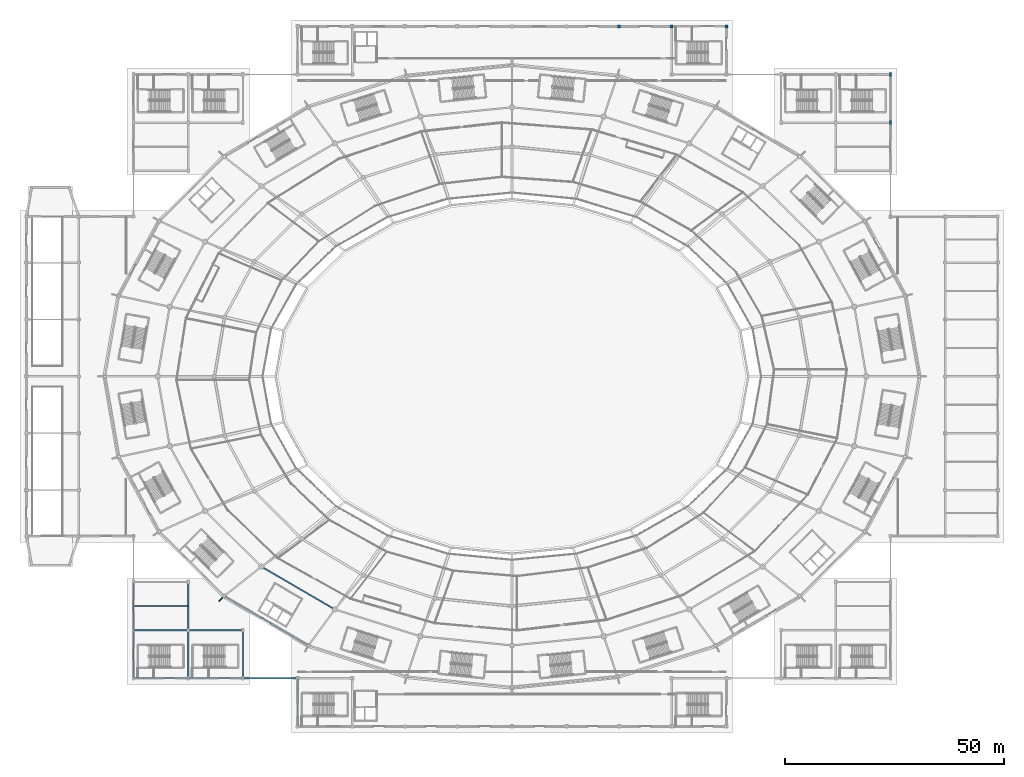
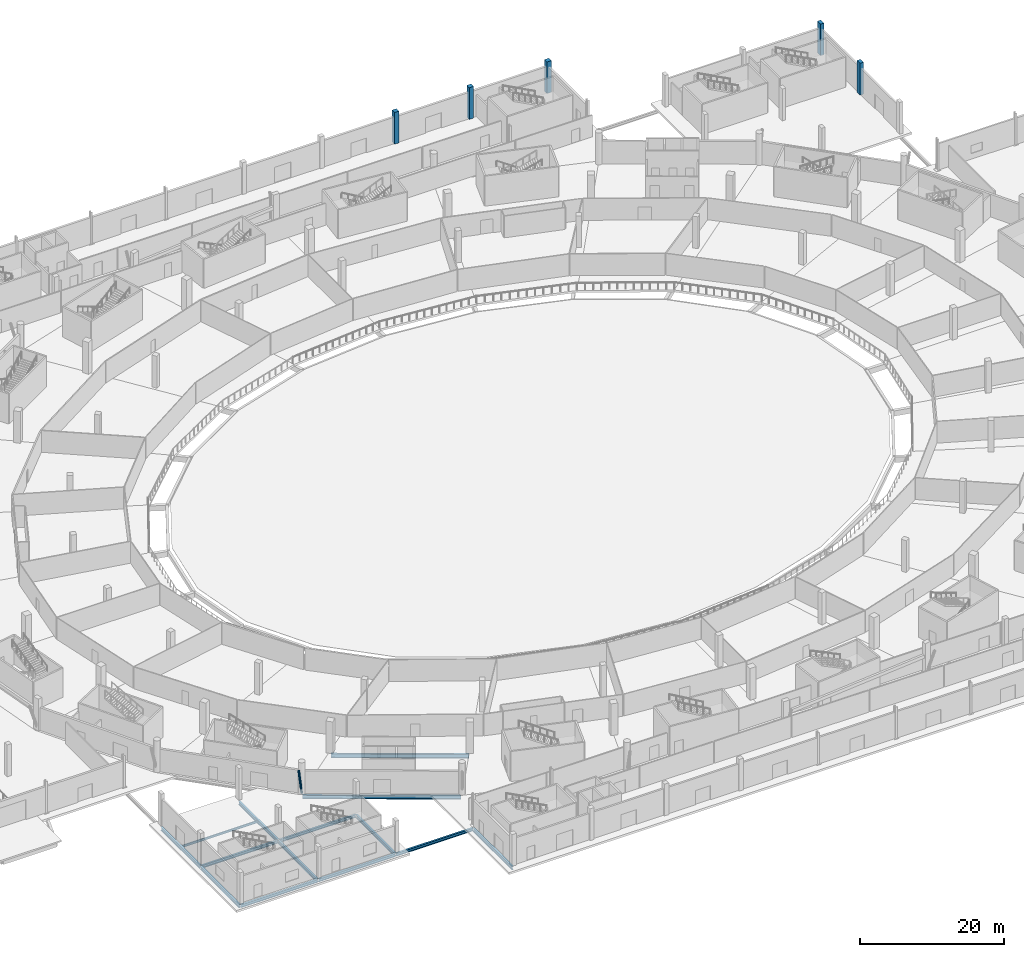
# One storey, part 22 of 82: 14 beams, 5 columns, 1 member.
"""IFC4 building model written with IfcOpenShell, lengths in metres."""

from ifc_helpers import new_model, si_unit, direction, frame, origin, origin_2d, place, context, subcontext, project, spatial, rectangle, hollow_circle, i_section, extrude, material, material_profile, profile_set, type_object, element, save


model = new_model("IFC4")

# Units and contexts
model_context = context("Model", 3, precision=1e-05, world=origin(), true_north=direction((0.0, 1.0)))
body_context = subcontext(model_context, "Body", "Model", "MODEL_VIEW")
ifc_project = project(units=[si_unit("LENGTHUNIT", "METRE"), si_unit("AREAUNIT", "SQUARE_METRE"), si_unit("VOLUMEUNIT", "CUBIC_METRE"), si_unit("PLANEANGLEUNIT", "RADIAN"), si_unit("MASSUNIT", "GRAM", prefix="KILO")], contexts=[model_context])

# Site, building, storey
site_placement = place(None, origin())
site = spatial("IfcSite", under=ifc_project, at=site_placement, CompositionType="ELEMENT")
building_placement = place(site_placement, origin())
building = spatial("IfcBuilding", under=site, at=building_placement, Name="Zlatoyarsky Gate Stadium", CompositionType="ELEMENT")
storey_placement = place(building_placement, origin())
storey = spatial("IfcBuildingStorey", under=building, at=storey_placement, Name="L00", CompositionType="ELEMENT", Elevation=0.0)

# Columns
ifc_material_1 = material(Name="Concrete C40/50", Category="concrete")
ifc_material_profile_1 = material_profile(ifc_material_1, rectangle(XDim=0.699951171875, YDim=0.699951171875, at=origin_2d()), Name="RC COL 700X700")
ifc_profile_set_1 = profile_set([ifc_material_profile_1], Name="Concrete C40/50")
column_type_1 = type_object("IfcColumnType", Name="CONCRETE COLUMN 700X700", PredefinedType="COLUMN", material=ifc_profile_set_1)
for number, where, z_axis, x_axis, name in (
    (1, (135.5, 160.0, 0.0), (0.0, 0.0, 1.0), (1.0, 0.0, 0.0), "Column RC-C70 WG-12-Q on L00"),
    (2, (147.5, 160.0, 0.0), (0.0, 0.0, 1.0), (1.0, 0.0, 0.0), "Column RC-C70 WG-13-Q on L00"),
    (3, (160.0, 160.0, 0.0), (0.0, 0.0, 1.0), (1.0, 0.0, 0.0), "Column RC-C70 WG-14-Q on L00"),
):
    element("IfcColumn", number, at=place(storey_placement, frame(where, z_axis=z_axis, x_axis=x_axis)), inside=storey, type_object=column_type_1, Name=name, PredefinedType="COLUMN", context=body_context, shape_type="SweptSolid", body=[
        extrude(rectangle(XDim=0.699951171875, YDim=0.699951171875, at=origin_2d()), origin(), (0.0, 0.0, 1.0), 5.39990234375),
    ])
ifc_material_profile_2 = material_profile(ifc_material_1, rectangle(XDim=0.550048828125, YDim=0.85009765625, at=origin_2d()), Name="RC PILASTER 550X850")
ifc_profile_set_2 = profile_set([ifc_material_profile_2], Name="Concrete C40/50")
column_type_2 = type_object("IfcColumnType", Name="CONCRETE PORTAL PILASTER 550X850", PredefinedType="PILASTER", material=ifc_profile_set_2)
for number, where, z_axis, x_axis, name in (
    (4, (197.5, 138.0, 0.0), (0.0, 0.0, 1.0), (1.0, 0.0, 0.0), "Column RC-PL85 WG-17-N on L00"),
    (5, (197.5, 149.0, 0.0), (0.0, 0.0, 1.0), (1.0, 0.0, 0.0), "Column RC-PL85 WG-17-P on L00"),
):
    element("IfcColumn", number, at=place(storey_placement, frame(where, z_axis=z_axis, x_axis=x_axis)), inside=storey, type_object=column_type_2, Name=name, PredefinedType="PILASTER", context=body_context, shape_type="SweptSolid", body=[
        extrude(rectangle(XDim=0.550048828125, YDim=0.85009765625, at=origin_2d()), origin(), (0.0, 0.0, 1.0), 5.39990234375),
    ])

# Member
ifc_material_2 = material(Name="Steel S355", Category="steel")
ifc_material_profile_3 = material_profile(ifc_material_2, hollow_circle(Radius=0.177734375, WallThickness=0.02001953125, at=origin_2d()), Name="CHS 355.6X20")
ifc_profile_set_3 = profile_set([ifc_material_profile_3], Name="Steel S355")
member_type = type_object("IfcMemberType", Name="STEEL LEANING RIB RING STRUT CHS 355.6X20", PredefinedType="STRUT", material=ifc_profile_set_3)
member_placement = place(storey_placement, frame((45.239013671875, 29.79541015625, 0.0), z_axis=(-0.224639634245, -0.224687860873, 0.948183737417), x_axis=(0.707182671369, -0.707030882858, 0.0)))
element("IfcMember", 6, at=member_placement, inside=storey, type_object=member_type, Name="Leaning ring strut 15 L00 to L01", PredefinedType="STRUT", context=body_context, shape_type="SweptSolid", body=[
    extrude(hollow_circle(Radius=0.177734375, WallThickness=0.02001953125, at=origin_2d()), origin(), (0.0, 0.0, 1.0), 5.062255859375),
])

# Beams
ifc_material_profile_4 = material_profile(ifc_material_2, i_section(OverallWidth=0.300048828125, OverallDepth=0.5, WebThickness=0.014404296875, FlangeThickness=0.028076171875, FilletRadius=0.027099609375, at=origin_2d()), Name="HEB 500")
ifc_profile_set_4 = profile_set([ifc_material_profile_4], Name="Steel S355")
beam_type_1 = type_object("IfcBeamType", Name="STEEL PRIMARY GIRDER HEB 500", PredefinedType="BEAM", material=ifc_profile_set_4)
for number, where, z_axis, x_axis, name in (
    (7, (24.580078125, 11.0, -0.60009765625), (1.0, 0.0, 0.0), (0.0, 1.0, 0.0), "Beam G-HEB500 BM-L00-WGX-3-B"),
    (8, (24.580078125, 22.0, -0.60009765625), (1.0, 0.0, 0.0), (0.0, 1.0, 0.0), "Beam G-HEB500 BM-L00-WGX-3-C"),
    (9, (37.080078125, 11.0, -0.60009765625), (1.0, 0.0, 0.0), (0.0, 1.0, 0.0), "Beam G-HEB500 BM-L00-WGX-4-B"),
    (10, (37.080078125, 22.0, -0.60009765625), (1.0, 0.0, 0.0), (0.0, 1.0, 0.0), "Beam G-HEB500 BM-L00-WGX-4-C"),
    (11, (49.580078125, 11.0, -0.60009765625), (1.0, 0.0, 0.0), (0.0, 1.0, 0.0), "Beam G-HEB500 BM-L00-WGX-5-B"),
):
    element("IfcBeam", number, at=place(storey_placement, frame(where, z_axis=z_axis, x_axis=x_axis)), inside=storey, type_object=beam_type_1, Name=name, PredefinedType="BEAM", context=body_context, shape_type="SweptSolid", body=[
        extrude(i_section(OverallWidth=0.300048828125, OverallDepth=0.5, WebThickness=0.014404296875, FlangeThickness=0.028076171875, FilletRadius=0.027099609375, at=origin_2d()), origin(), (0.0, 0.0, 1.0), 12.33984375),
    ])
ifc_material_profile_5 = material_profile(ifc_material_2, i_section(OverallWidth=0.300048828125, OverallDepth=0.60009765625, WebThickness=0.015380859375, FlangeThickness=0.030029296875, FilletRadius=0.027099609375, at=origin_2d()), Name="HEB 600")
ifc_profile_set_5 = profile_set([ifc_material_profile_5], Name="Steel S355")
beam_type_2 = type_object("IfcBeamType", Name="STEEL PRIMARY GIRDER HEB 600", PredefinedType="BEAM", material=ifc_profile_set_5)
beam_1_placement = place(storey_placement, frame((45.342529296875, 29.734619140625, -0.64990234375), z_axis=(0.862854775092, -0.505451913738, 0.0), x_axis=(0.505451913738, 0.862854775092, 0.0)))
element("IfcBeam", 12, at=beam_1_placement, inside=storey, type_object=beam_type_2, Name="Beam G-HEB600 BM-L00-CRC-15", PredefinedType="BEAM", context=body_context, shape_type="SweptSolid", body=[
    extrude(i_section(OverallWidth=0.300048828125, OverallDepth=0.60009765625, WebThickness=0.015380859375, FlangeThickness=0.030029296875, FilletRadius=0.027099609375, at=origin_2d()), origin(), (0.0, 0.0, 1.0), 22.08251953125),
])
for number, where, z_axis, x_axis, name in (
    (13, (24.5, 11.080078125, -0.64990234375), (0.0, 1.0, 0.0), (-1.0, 0.0, 0.0), "Beam G-HEB600 BM-L00-WGY-3-B"),
    (14, (24.5, 22.080078125, -0.64990234375), (0.0, 1.0, 0.0), (-1.0, 0.0, 0.0), "Beam G-HEB600 BM-L00-WGY-3-C"),
    (15, (37.0, 11.080078125, -0.64990234375), (0.0, 1.0, 0.0), (-1.0, 0.0, 0.0), "Beam G-HEB600 BM-L00-WGY-4-B"),
    (16, (37.0, 22.080078125, -0.64990234375), (0.0, 1.0, 0.0), (-1.0, 0.0, 0.0), "Beam G-HEB600 BM-L00-WGY-4-C"),
    (17, (49.5, 11.080078125, -0.64990234375), (0.0, 1.0, 0.0), (-1.0, 0.0, 0.0), "Beam G-HEB600 BM-L00-WGY-5-B"),
    (18, (62.0, 0.080078125, -0.64990234375), (0.0, 1.0, 0.0), (-1.0, 0.0, 0.0), "Beam G-HEB600 BM-L00-WGY-6-A"),
):
    element("IfcBeam", number, at=place(storey_placement, frame(where, z_axis=z_axis, x_axis=x_axis)), inside=storey, type_object=beam_type_2, Name=name, PredefinedType="BEAM", context=body_context, shape_type="SweptSolid", body=[
        extrude(i_section(OverallWidth=0.300048828125, OverallDepth=0.60009765625, WebThickness=0.015380859375, FlangeThickness=0.030029296875, FilletRadius=0.027099609375, at=origin_2d()), origin(), (0.0, 0.0, 1.0), 10.83984375),
    ])
ifc_material_profile_6 = material_profile(ifc_material_2, i_section(OverallWidth=0.300048828125, OverallDepth=0.699951171875, WebThickness=0.01708984375, FlangeThickness=0.031982421875, FilletRadius=0.027099609375, at=origin_2d()), Name="HEB 700")
ifc_profile_set_6 = profile_set([ifc_material_profile_6], Name="Steel S355")
beam_type_3 = type_object("IfcBeamType", Name="STEEL PRIMARY GIRDER HEB 700", PredefinedType="BEAM", material=ifc_profile_set_6)
beam_2_placement = place(storey_placement, frame((53.828125, 36.452392578125, -0.699951171875), z_axis=(0.864054462945, -0.503398336375, 0.0), x_axis=(0.503398336375, 0.864054462945, 0.0)))
element("IfcBeam", 19, at=beam_2_placement, inside=storey, type_object=beam_type_3, Name="Beam G-HEB700 BM-L00-CRB-15", PredefinedType="BEAM", context=body_context, shape_type="SweptSolid", body=[
    extrude(i_section(OverallWidth=0.300048828125, OverallDepth=0.699951171875, WebThickness=0.01708984375, FlangeThickness=0.031982421875, FilletRadius=0.027099609375, at=origin_2d()), origin(), (0.0, 0.0, 1.0), 19.1748046875),
])
ifc_material_profile_7 = material_profile(ifc_material_2, i_section(OverallWidth=0.169921875, OverallDepth=0.360107421875, WebThickness=0.008056640625, FlangeThickness=0.0126953125, FilletRadius=0.01806640625, at=origin_2d()), Name="IPE 360")
ifc_profile_set_7 = profile_set([ifc_material_profile_7], Name="Steel S355")
beam_type_4 = type_object("IfcBeamType", Name="STEEL SECONDARY JOIST IPE 360", PredefinedType="JOIST", material=ifc_profile_set_7)
beam_3_placement = place(storey_placement, frame((24.590087890625, 27.5, -0.530029296875), z_axis=(1.0, 0.0, 0.0), x_axis=(0.0, 1.0, 0.0)))
element("IfcBeam", 20, at=beam_3_placement, inside=storey, type_object=beam_type_4, Name="Beam J-IPE360 JST-L00-3-C", PredefinedType="JOIST", context=body_context, shape_type="SweptSolid", body=[
    extrude(i_section(OverallWidth=0.169921875, OverallDepth=0.360107421875, WebThickness=0.008056640625, FlangeThickness=0.0126953125, FilletRadius=0.01806640625, at=origin_2d()), origin(), (0.0, 0.0, 1.0), 12.31982421875),
])

save(model, "model.ifc")
